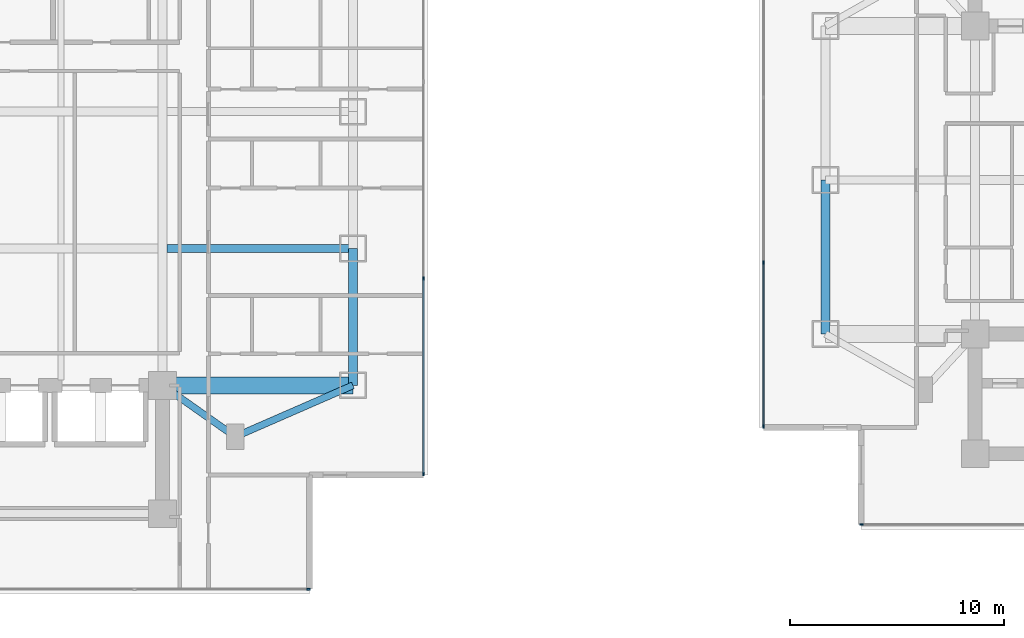
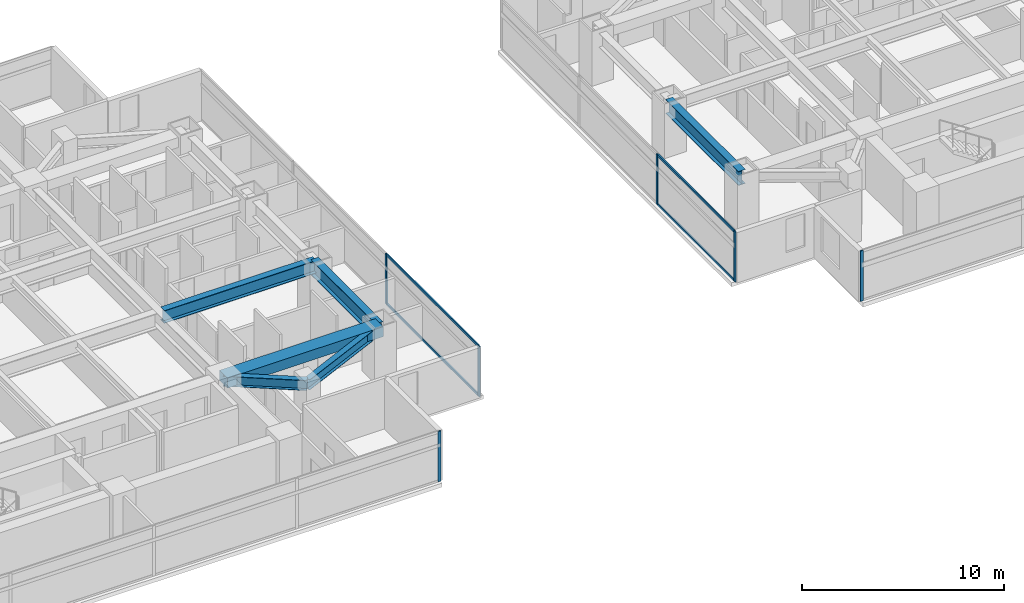
# One storey, part 5 of 24: 10 members, 6 beams, 4 elements without a shape of their own.
"""IFC4 building model written with IfcOpenShell, lengths in metres."""

from ifc_helpers import new_model, si_unit, direction, frame, origin, origin_2d, place, context, subcontext, project, spatial, rectangle, i_section, extrude, material, material_profile, profile_set, type_object, element, aggregate, save


model = new_model("IFC4")

# Units and contexts
model_context = context("Model", 3, precision=1e-05, world=origin(), true_north=direction((0.0, 1.0)))
body_context = subcontext(model_context, "Body", "Model", "MODEL_VIEW")
ifc_project = project(units=[si_unit("LENGTHUNIT", "METRE"), si_unit("AREAUNIT", "SQUARE_METRE"), si_unit("VOLUMEUNIT", "CUBIC_METRE"), si_unit("PLANEANGLEUNIT", "RADIAN"), si_unit("MASSUNIT", "GRAM", prefix="KILO")], contexts=[model_context])

# Site, building, storey
site_placement = place(None, origin())
site = spatial("IfcSite", under=ifc_project, at=site_placement, CompositionType="ELEMENT")
building_placement = place(site_placement, origin())
building = spatial("IfcBuilding", under=site, at=building_placement, Name="Mirazonda Arch Towers", CompositionType="ELEMENT")
storey_placement = place(building_placement, frame((0.0, 0.0, 65.300048828125)))
storey = spatial("IfcBuildingStorey", under=building, at=storey_placement, Name="L18", CompositionType="ELEMENT", Elevation=65.300048828125)

# Beams
ifc_material_1 = material(Name="Steel ASTM A992 Grade 50", Category="steel")
ifc_material_profile_1 = material_profile(ifc_material_1, i_section(OverallWidth=0.39990234375, OverallDepth=0.85595703125, WebThickness=0.018310546875, FlangeThickness=0.029296875, at=origin_2d()), Name="W33X201")
ifc_profile_set_1 = profile_set([ifc_material_profile_1], Name="Steel ASTM A992 Grade 50")
beam_type_1 = type_object("IfcBeamType", Name="BM-EXT-W33X201", PredefinedType="USERDEFINED", material=ifc_profile_set_1)
beam_1_placement = place(storey_placement, frame((61.0, 20.800048828125, 2.6318359375), z_axis=(0.0, 1.0, 0.0), x_axis=(-1.0, 0.0, 0.0)))
element("IfcBeam", 1, at=beam_1_placement, inside=storey, type_object=beam_type_1, Name="L18 Floor Beam BM-T2-L18-NS-W-20", ObjectType="GIRDER", PredefinedType="USERDEFINED", context=body_context, shape_type="SweptSolid", body=[
    extrude(i_section(OverallWidth=0.39990234375, OverallDepth=0.85595703125, WebThickness=0.018310546875, FlangeThickness=0.029296875, at=origin_2d()), origin(), (0.0, 0.0, 1.0), 7.199951171875),
])
ifc_material_profile_2 = material_profile(ifc_material_1, i_section(OverallWidth=0.41796875, OverallDepth=0.927001953125, WebThickness=0.019287109375, FlangeThickness=0.031982421875, at=origin_2d()), Name="W36X231")
ifc_profile_set_2 = profile_set([ifc_material_profile_2], Name="Steel ASTM A992 Grade 50")
beam_type_2 = type_object("IfcBeamType", Name="BM-EXT-W36X231", PredefinedType="USERDEFINED", material=ifc_profile_set_2)
beam_2_placement = place(storey_placement, frame((38.89990234375, 18.39990234375, 2.596435546875), z_axis=(0.0, 1.0, 0.0), x_axis=(-1.0, 0.0, 0.0)))
element("IfcBeam", 2, at=beam_2_placement, inside=storey, type_object=beam_type_2, Name="L18 Floor Beam BM-T1-L18-NS-E-18", ObjectType="GIRDER", PredefinedType="USERDEFINED", context=body_context, shape_type="SweptSolid", body=[
    extrude(i_section(OverallWidth=0.41796875, OverallDepth=0.927001953125, WebThickness=0.019287109375, FlangeThickness=0.031982421875, at=origin_2d()), origin(), (0.0, 0.0, 1.0), 6.400146484375),
])
ifc_material_profile_3 = material_profile(ifc_material_1, i_section(OverallWidth=0.324951171875, OverallDepth=0.615966796875, WebThickness=0.013916015625, FlangeThickness=0.021484375, at=origin_2d()), Name="W24X117")
ifc_profile_set_3 = profile_set([ifc_material_profile_3], Name="Steel ASTM A992 Grade 50")
beam_type_3 = type_object("IfcBeamType", Name="BM-INT-W24X117", PredefinedType="BEAM", material=ifc_profile_set_3)
beam_3_placement = place(storey_placement, frame((33.39990234375, 16.0, 2.751953125), z_axis=(-0.816971114901, 0.576678591087, 0.0), x_axis=(-0.576678591087, -0.816971114901, 0.0)))
element("IfcBeam", 3, at=beam_3_placement, inside=storey, type_object=beam_type_3, Name="L18 Floor Beam BM-T1-L18-PL-SE1", PredefinedType="BEAM", context=body_context, shape_type="SweptSolid", body=[
    extrude(i_section(OverallWidth=0.324951171875, OverallDepth=0.615966796875, WebThickness=0.013916015625, FlangeThickness=0.021484375, at=origin_2d()), origin(), (0.0, 0.0, 1.0), 4.16162109375),
])
beam_4_placement = place(storey_placement, frame((33.39990234375, 16.0, 2.751953125), z_axis=(0.916545343703, 0.399930785183, 0.0), x_axis=(-0.399930785183, 0.916545343703, 0.0)))
element("IfcBeam", 4, at=beam_4_placement, inside=storey, type_object=beam_type_3, Name="L18 Floor Beam BM-T1-L18-PL-SE2", PredefinedType="BEAM", context=body_context, shape_type="SweptSolid", body=[
    extrude(i_section(OverallWidth=0.324951171875, OverallDepth=0.615966796875, WebThickness=0.013916015625, FlangeThickness=0.021484375, at=origin_2d()), origin(), (0.0, 0.0, 1.0), 6.000732421875),
])
ifc_material_profile_4 = material_profile(ifc_material_1, i_section(OverallWidth=0.381103515625, OverallDepth=0.77294921875, WebThickness=0.0166015625, FlangeThickness=0.027099609375, at=origin_2d()), Name="W30X173")
ifc_profile_set_4 = profile_set([ifc_material_profile_4], Name="Steel ASTM A992 Grade 50")
beam_type_4 = type_object("IfcBeamType", Name="BM-INT-W30X173", PredefinedType="USERDEFINED", material=ifc_profile_set_4)
beam_5_placement = place(storey_placement, frame((30.21142578125, 24.800048828125, 2.67333984375), z_axis=(1.0, 0.0, 0.0), x_axis=(0.0, 1.0, 0.0)))
element("IfcBeam", 5, at=beam_5_placement, inside=storey, type_object=beam_type_4, Name="L18 Floor Beam BM-T1-L18-GE2", ObjectType="GIRDER", PredefinedType="USERDEFINED", context=body_context, shape_type="SweptSolid", body=[
    extrude(i_section(OverallWidth=0.381103515625, OverallDepth=0.77294921875, WebThickness=0.0166015625, FlangeThickness=0.027099609375, at=origin_2d()), origin(), (0.0, 0.0, 1.0), 8.6884765625),
])
ifc_material_2 = material(Name="Concrete C60/75", Category="concrete")
ifc_material_profile_5 = material_profile(ifc_material_2, rectangle(XDim=0.800048828125, YDim=0.60009765625, at=origin_2d()), Name="RCCB800x600")
ifc_profile_set_5 = profile_set([ifc_material_profile_5], Name="Concrete C60/75")
beam_type_5 = type_object("IfcBeamType", Name="CB-INT-RCCB800x600", PredefinedType="SPANDREL", material=ifc_profile_set_5)
beam_6_placement = place(storey_placement, frame((30.0, 18.39990234375, 2.760009765625), z_axis=(1.0, 0.0, 0.0), x_axis=(0.0, 1.0, 0.0)))
element("IfcBeam", 6, at=beam_6_placement, inside=storey, type_object=beam_type_5, Name="L18 Floor Beam CBC-T1-L18-SE", PredefinedType="SPANDREL", context=body_context, shape_type="SweptSolid", body=[
    extrude(rectangle(XDim=0.800048828125, YDim=0.60009765625, at=origin_2d()), origin(), (0.0, 0.0, 1.0), 8.89990234375),
])

# Curtain wall, member
ifc_material_3 = material(Name="Anodised Aluminium and Low-E Glass", Category="aluminium")
curtain_wall_type = type_object("IfcCurtainWallType", Name="CW-HTL-UNIT", PredefinedType="NOTDEFINED", material=ifc_material_3)
curtain_wall_1_placement = place(storey_placement, origin())
curtain_wall_1 = element("IfcCurtainWall", 7, at=curtain_wall_1_placement, inside=storey, type_object=curtain_wall_type, Name="L18 T1 S Facade CW-L18-T1-S", PredefinedType="NOTDEFINED")
ifc_material_4 = material(Name="Anodised Aluminium Alloy", Category="aluminium")
ifc_material_profile_6 = material_profile(ifc_material_4, rectangle(XDim=0.074951171875, YDim=0.1650390625, at=origin_2d()), Name="ALU-MULL-75x165")
ifc_profile_set_6 = profile_set([ifc_material_profile_6], Name="Anodised Aluminium Alloy")
member_type_1 = type_object("IfcMemberType", Name="MULL-CW-HTL-UNIT", PredefinedType="MULLION", material=ifc_profile_set_6)
member_1_placement = place(storey_placement, frame((36.822509765625, 8.867919921875, 0.0), z_axis=(0.0, 0.0, 1.0), x_axis=(0.0, -1.0, 0.0)))
member_1 = element("IfcMember", 8, at=member_1_placement, type_object=member_type_1, Name="CW-112 mullion 1", PredefinedType="MULLION", context=body_context, shape_type="SweptSolid", body=[
    extrude(rectangle(XDim=0.074951171875, YDim=0.1650390625, at=origin_2d()), origin(), (0.0, 0.0, 1.0), 3.0400390625),
])
aggregate(curtain_wall_1, [member_1])

# Curtain wall, members
curtain_wall_2_placement = place(storey_placement, origin())
curtain_wall_2 = element("IfcCurtainWall", 9, at=curtain_wall_2_placement, inside=storey, type_object=curtain_wall_type, Name="L18 T1 E Facade CW-L18-T1-E", PredefinedType="NOTDEFINED")
member_2_placement = place(storey_placement, frame((42.199951171875, 14.24560546875, 0.0), z_axis=(0.0, 0.0, 1.0), x_axis=(-1.0, 0.0, 0.0)))
member_2 = element("IfcMember", 10, at=member_2_placement, type_object=member_type_1, Name="CW-112 mullion 1", PredefinedType="MULLION", context=body_context, shape_type="SweptSolid", body=[
    extrude(rectangle(XDim=0.074951171875, YDim=0.1650390625, at=origin_2d()), origin(), (0.0, 0.0, 1.0), 3.0400390625),
])
member_3_placement = place(storey_placement, frame((42.199951171875, 23.402587890625, 0.0), z_axis=(0.0, 0.0, 1.0), x_axis=(-1.0, 0.0, 0.0)))
member_3 = element("IfcMember", 11, at=member_3_placement, type_object=member_type_1, Name="CW-112 mullion 2", PredefinedType="MULLION", context=body_context, shape_type="SweptSolid", body=[
    extrude(rectangle(XDim=0.074951171875, YDim=0.1650390625, at=origin_2d()), origin(), (0.0, 0.0, 1.0), 3.0400390625),
])

# Curtain wall, member
curtain_wall_3_placement = place(storey_placement, origin())
curtain_wall_3 = element("IfcCurtainWall", 12, at=curtain_wall_3_placement, inside=storey, type_object=curtain_wall_type, Name="L18 T2 S Facade CW-L18-T2-S", PredefinedType="NOTDEFINED")
member_4_placement = place(storey_placement, frame((62.69140625, 11.890869140625, 0.0), z_axis=(0.0, 0.0, 1.0), x_axis=(0.0, -1.0, 0.0)))
member_4 = element("IfcMember", 13, at=member_4_placement, type_object=member_type_1, Name="CW-112 mullion 4", PredefinedType="MULLION", context=body_context, shape_type="SweptSolid", body=[
    extrude(rectangle(XDim=0.074951171875, YDim=0.1650390625, at=origin_2d()), origin(), (0.0, 0.0, 1.0), 3.0400390625),
])
aggregate(curtain_wall_3, [member_4])

# Curtain wall, members
curtain_wall_4_placement = place(storey_placement, origin())
curtain_wall_4 = element("IfcCurtainWall", 14, at=curtain_wall_4_placement, inside=storey, type_object=curtain_wall_type, Name="L18 T2 W Facade CW-L18-T2-W", PredefinedType="NOTDEFINED")
member_5_placement = place(storey_placement, frame((58.10791015625, 24.1455078125, 0.0), z_axis=(0.0, 0.0, 1.0), x_axis=(1.0, 0.0, 0.0)))
member_5 = element("IfcMember", 15, at=member_5_placement, type_object=member_type_1, Name="CW-112 mullion 3", PredefinedType="MULLION", context=body_context, shape_type="SweptSolid", body=[
    extrude(rectangle(XDim=0.074951171875, YDim=0.1650390625, at=origin_2d()), origin(), (0.0, 0.0, 1.0), 3.0400390625),
])
member_6_placement = place(storey_placement, frame((58.10791015625, 16.474365234375, 0.0), z_axis=(0.0, 0.0, 1.0), x_axis=(1.0, 0.0, 0.0)))
member_6 = element("IfcMember", 16, at=member_6_placement, type_object=member_type_1, Name="CW-112 mullion 4", PredefinedType="MULLION", context=body_context, shape_type="SweptSolid", body=[
    extrude(rectangle(XDim=0.074951171875, YDim=0.1650390625, at=origin_2d()), origin(), (0.0, 0.0, 1.0), 3.0400390625),
])

# Member
ifc_material_profile_7 = material_profile(ifc_material_4, rectangle(XDim=0.074951171875, YDim=0.14501953125, at=origin_2d()), Name="ALU-TRAN-75x145")
ifc_profile_set_7 = profile_set([ifc_material_profile_7], Name="Anodised Aluminium Alloy")
member_type_2 = type_object("IfcMemberType", Name="TRAN-CW-HTL-UNIT", PredefinedType="USERDEFINED", material=ifc_profile_set_7)
member_7_placement = place(storey_placement, frame((42.199951171875, 14.282958984375, 0.037353515625), z_axis=(0.0, 1.0, 0.0), x_axis=(-1.0, 0.0, 0.0)))
member_7 = element("IfcMember", 17, at=member_7_placement, type_object=member_type_2, Name="CW-112 transom 1.1", ObjectType="TRANSOM", PredefinedType="USERDEFINED", context=body_context, shape_type="SweptSolid", body=[
    extrude(rectangle(XDim=0.074951171875, YDim=0.14501953125, at=origin_2d()), origin(), (0.0, 0.0, 1.0), 9.082275390625),
])

member_8_placement = place(storey_placement, frame((42.199951171875, 14.282958984375, 3.00244140625), z_axis=(0.0, 1.0, 0.0), x_axis=(-1.0, 0.0, 0.0)))
member_8 = element("IfcMember", 18, at=member_8_placement, type_object=member_type_2, Name="CW-112 transom 1.2", ObjectType="TRANSOM", PredefinedType="USERDEFINED", context=body_context, shape_type="SweptSolid", body=[
    extrude(rectangle(XDim=0.074951171875, YDim=0.14501953125, at=origin_2d()), origin(), (0.0, 0.0, 1.0), 9.082275390625),
])

aggregate(curtain_wall_2, [member_2, member_3, member_7, member_8])

member_9_placement = place(storey_placement, frame((58.10791015625, 24.108154296875, 0.037353515625), z_axis=(0.0, -1.0, 0.0), x_axis=(1.0, 0.0, 0.0)))
member_9 = element("IfcMember", 19, at=member_9_placement, type_object=member_type_2, Name="CW-112 transom 3.1", ObjectType="TRANSOM", PredefinedType="USERDEFINED", context=body_context, shape_type="SweptSolid", body=[
    extrude(rectangle(XDim=0.074951171875, YDim=0.14501953125, at=origin_2d()), origin(), (0.0, 0.0, 1.0), 7.596435546875),
])

member_10_placement = place(storey_placement, frame((58.10791015625, 24.108154296875, 3.00244140625), z_axis=(0.0, -1.0, 0.0), x_axis=(1.0, 0.0, 0.0)))
member_10 = element("IfcMember", 20, at=member_10_placement, type_object=member_type_2, Name="CW-112 transom 3.2", ObjectType="TRANSOM", PredefinedType="USERDEFINED", context=body_context, shape_type="SweptSolid", body=[
    extrude(rectangle(XDim=0.074951171875, YDim=0.14501953125, at=origin_2d()), origin(), (0.0, 0.0, 1.0), 7.596435546875),
])

aggregate(curtain_wall_4, [member_5, member_6, member_9, member_10])

save(model, "model.ifc")
